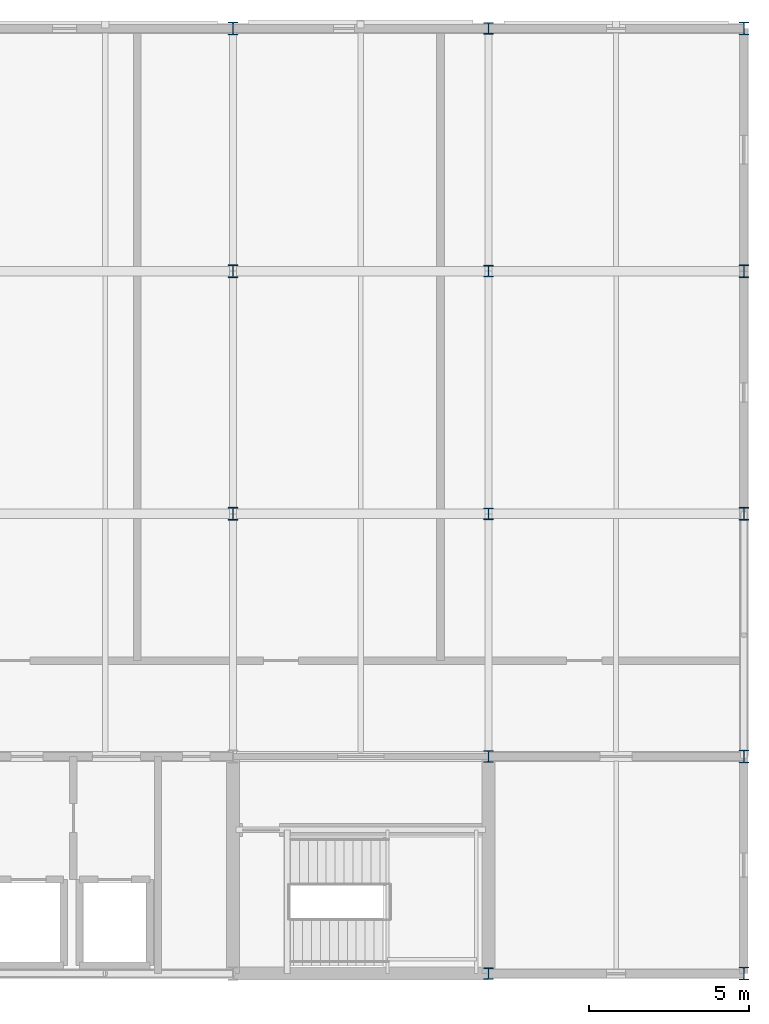
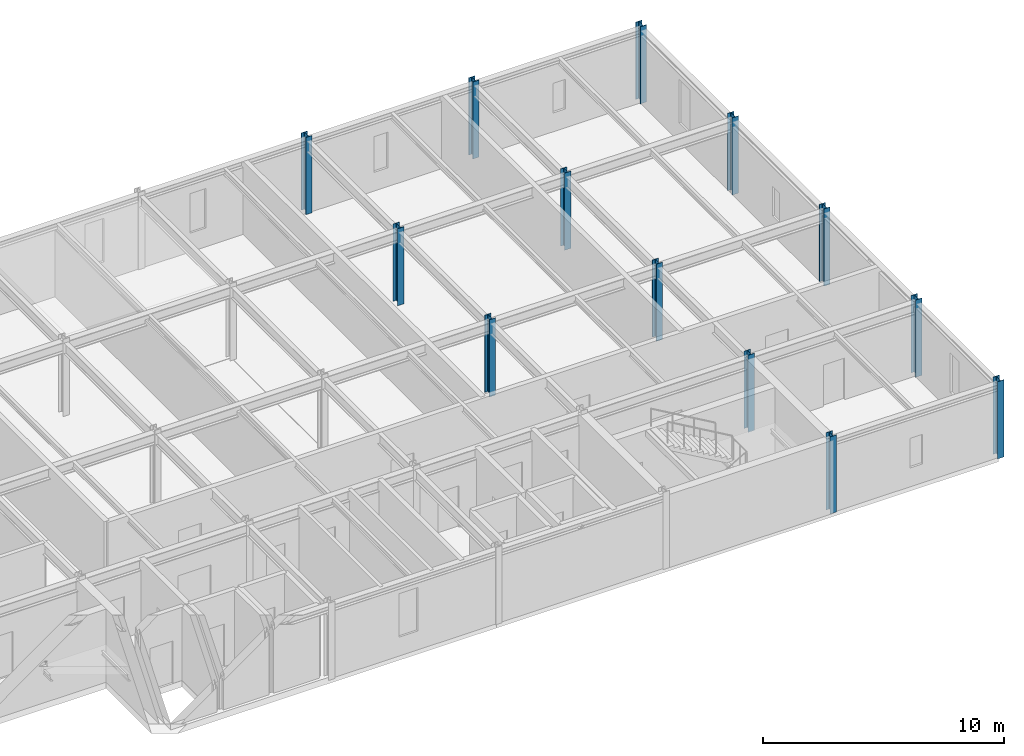
# One storey, part 2 of 9: 13 columns.
"""IFC4 building model written with IfcOpenShell, lengths in metres."""

from ifc_helpers import new_model, si_unit, direction, frame, origin, origin_2d, place, context, subcontext, project, spatial, i_section, extrude, material, material_profile, profile_set, type_object, element, save


model = new_model("IFC4")

# Units and contexts
model_context = context("Model", 3, precision=1e-05, world=origin(), true_north=direction((0.0, 1.0)))
body_context = subcontext(model_context, "Body", "Model", "MODEL_VIEW")
ifc_project = project(units=[si_unit("LENGTHUNIT", "METRE"), si_unit("AREAUNIT", "SQUARE_METRE"), si_unit("VOLUMEUNIT", "CUBIC_METRE"), si_unit("PLANEANGLEUNIT", "RADIAN"), si_unit("MASSUNIT", "GRAM", prefix="KILO")], contexts=[model_context])

# Site, building, storey
site_placement = place(None, origin())
site = spatial("IfcSite", under=ifc_project, at=site_placement, CompositionType="ELEMENT")
building_placement = place(site_placement, origin())
building = spatial("IfcBuilding", under=site, at=building_placement, Name="Shalkamar Park Central Library", CompositionType="ELEMENT")
storey_placement = place(building_placement, frame((0.0, 0.0, 63.89990234375)))
storey = spatial("IfcBuildingStorey", under=building, at=storey_placement, Name="L16", CompositionType="ELEMENT", Elevation=63.89990234375)

# Columns
ifc_material = material(Name="Steel S355", Category="steel")
ifc_material_profile_1 = material_profile(ifc_material, i_section(OverallWidth=0.300048828125, OverallDepth=0.360107421875, WebThickness=0.012451171875, FlangeThickness=0.0224609375, FilletRadius=0.027099609375, at=origin_2d()), Name="HEB 360")
ifc_profile_set_1 = profile_set([ifc_material_profile_1], Name="Steel S355")
column_type_1 = type_object("IfcColumnType", Name="Column Steel HEB360", PredefinedType="COLUMN", material=ifc_profile_set_1)
for number, where, z_axis, x_axis, name in (
    (1, (205.0, 248.39990234375, 0.0), (0.0, 0.0, 1.0), (1.0, 0.0, 0.0), "Column 12/B (L16)"),
    (2, (205.0, 255.199951171875, 0.0), (0.0, 0.0, 1.0), (1.0, 0.0, 0.0), "Column 12/C (L16)"),
    (3, (205.0, 262.800048828125, 0.0), (0.0, 0.0, 1.0), (1.0, 0.0, 0.0), "Column 12/D (L16)"),
    (4, (205.0, 270.39990234375, 0.0), (0.0, 0.0, 1.0), (1.0, 0.0, 0.0), "Column 12/E (L16)"),
    (5, (205.0, 278.0, 0.0), (0.0, 0.0, 1.0), (1.0, 0.0, 0.0), "Column 12/F (L16)"),
):
    element("IfcColumn", number, at=place(storey_placement, frame(where, z_axis=z_axis, x_axis=x_axis)), inside=storey, type_object=column_type_1, Name=name, PredefinedType="COLUMN", context=body_context, shape_type="SweptSolid", body=[
        extrude(i_section(OverallWidth=0.300048828125, OverallDepth=0.360107421875, WebThickness=0.012451171875, FlangeThickness=0.0224609375, FilletRadius=0.027099609375, at=origin_2d()), origin(), (0.0, 0.0, 1.0), 3.900146484375),
    ])
ifc_material_profile_2 = material_profile(ifc_material, i_section(OverallWidth=0.300048828125, OverallDepth=0.39990234375, WebThickness=0.013427734375, FlangeThickness=0.02392578125, FilletRadius=0.027099609375, at=origin_2d()), Name="HEB 400")
ifc_profile_set_2 = profile_set([ifc_material_profile_2], Name="Steel S355")
column_type_2 = type_object("IfcColumnType", Name="Column Steel HEB400", PredefinedType="COLUMN", material=ifc_profile_set_2)
for number, where, z_axis, x_axis, name in (
    (6, (197.0, 262.800048828125, 0.0), (0.0, 0.0, 1.0), (1.0, 0.0, 0.0), "Column 11/D (L16)"),
    (7, (197.0, 270.39990234375, 0.0), (0.0, 0.0, 1.0), (1.0, 0.0, 0.0), "Column 11/E (L16)"),
    (8, (197.0, 278.0, 0.0), (0.0, 0.0, 1.0), (1.0, 0.0, 0.0), "Column 11/F (L16)"),
    (9, (213.0, 248.39990234375, 0.0), (0.0, 0.0, 1.0), (1.0, 0.0, 0.0), "Column 13/B (L16)"),
    (10, (213.0, 255.199951171875, 0.0), (0.0, 0.0, 1.0), (1.0, 0.0, 0.0), "Column 13/C (L16)"),
    (11, (213.0, 262.800048828125, 0.0), (0.0, 0.0, 1.0), (1.0, 0.0, 0.0), "Column 13/D (L16)"),
    (12, (213.0, 270.39990234375, 0.0), (0.0, 0.0, 1.0), (1.0, 0.0, 0.0), "Column 13/E (L16)"),
    (13, (213.0, 278.0, 0.0), (0.0, 0.0, 1.0), (1.0, 0.0, 0.0), "Column 13/F (L16)"),
):
    element("IfcColumn", number, at=place(storey_placement, frame(where, z_axis=z_axis, x_axis=x_axis)), inside=storey, type_object=column_type_2, Name=name, PredefinedType="COLUMN", context=body_context, shape_type="SweptSolid", body=[
        extrude(i_section(OverallWidth=0.300048828125, OverallDepth=0.39990234375, WebThickness=0.013427734375, FlangeThickness=0.02392578125, FilletRadius=0.027099609375, at=origin_2d()), origin(), (0.0, 0.0, 1.0), 3.900146484375),
    ])

save(model, "model.ifc")
